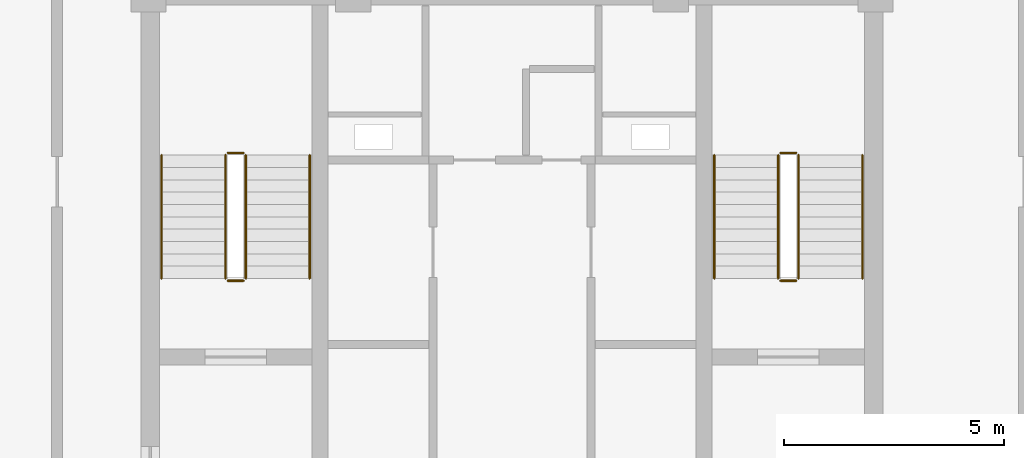
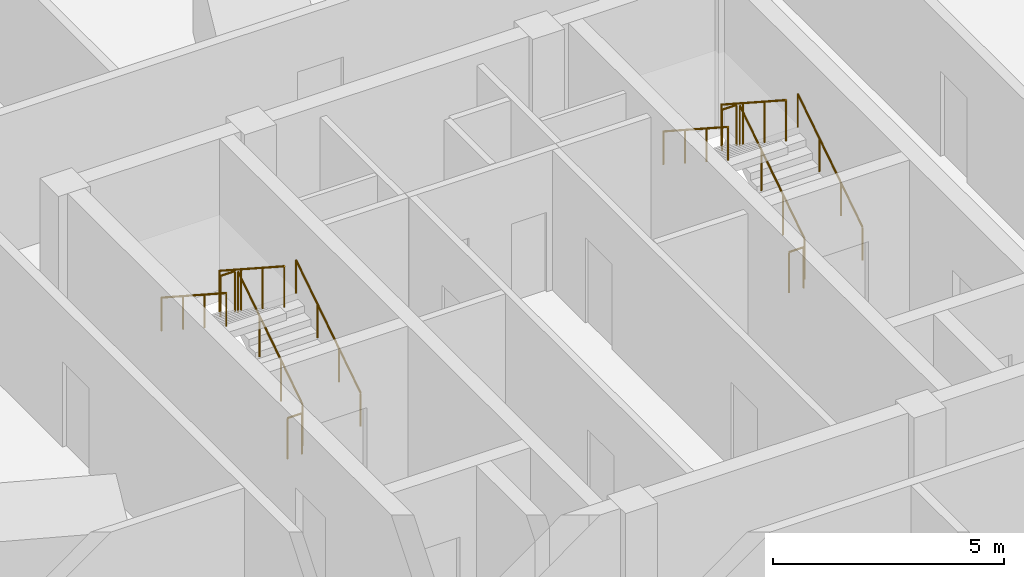
# One storey, part 25 of 26: 12 railings.
"""IFC4 building model written with IfcOpenShell, lengths in metres."""

from ifc_helpers import new_model, si_unit, direction, frame, origin, origin_2d, place, context, subcontext, project, spatial, circle, extrude, source, transform, mapped, material, type_object, element, save


model = new_model("IFC4")

# Units and contexts
model_context = context("Model", 3, precision=1e-05, world=origin(), true_north=direction((0.0, 1.0)))
body_context = subcontext(model_context, "Body", "Model", "MODEL_VIEW")
ifc_project = project(units=[si_unit("LENGTHUNIT", "METRE"), si_unit("AREAUNIT", "SQUARE_METRE"), si_unit("VOLUMEUNIT", "CUBIC_METRE"), si_unit("PLANEANGLEUNIT", "RADIAN"), si_unit("MASSUNIT", "GRAM", prefix="KILO"), si_unit("THERMODYNAMICTEMPERATUREUNIT", "KELVIN")], contexts=[model_context])

# Site, building, storey
site_placement = place(None, origin())
site = spatial("IfcSite", under=ifc_project, at=site_placement, CompositionType="ELEMENT")
building_placement = place(site_placement, origin())
building = spatial("IfcBuilding", under=site, at=building_placement, Name="Kosmvard Interchange Tower", CompositionType="ELEMENT")
storey_placement = place(building_placement, frame((0.0, 0.0, 329.60009765625)))
storey = spatial("IfcBuildingStorey", under=building, at=storey_placement, Name="L81", CompositionType="ELEMENT", Elevation=329.60009765625)

# Railings
ifc_material = material(Name="Steel S355", Category="steel")
railing_type_1 = type_object("IfcRailingType", Name="Stair & Terrace Safety Guardrail 1100 Steel", PredefinedType="GUARDRAIL", material=ifc_material)
shared_shape_1 = source(origin(), body_context, "Body", "SweptSolid", [
    extrude(circle(Radius=0.02392578125, at=origin_2d()), frame((0.0, 0.0, 1.076171875), z_axis=(-1.0, 0.0, 0.0), x_axis=(0.0, -1.0, 0.0)), (0.0, 0.0, 1.0), 0.35986328125),
    extrude(circle(Radius=0.02099609375, at=origin_2d()), origin(), (0.0, 0.0, 1.0), 1.052001953125),
    extrude(circle(Radius=0.02099609375, at=origin_2d()), frame((-0.35986328125, 0.0, 0.0)), (0.0, 0.0, 1.0), 1.052001953125),
])
for number, where, name in (
    (1, (-6.090087890625, 4.64990234375, 2.0), "L81 ST-1 stair guard 2"),
    (2, (-6.090087890625, 1.75, 0.0), "L81 ST-1 stair guard 4"),
    (3, (6.449951171875, 4.64990234375, 2.0), "L81 ST-2 stair guard 2"),
    (4, (6.449951171875, 1.75, 0.0), "L81 ST-2 stair guard 4"),
):
    element("IfcRailing", number, at=place(storey_placement, frame(where)), inside=storey, type_object=railing_type_1, Name=name, PredefinedType="GUARDRAIL", context=body_context, shape_type="MappedRepresentation", body=[
        mapped(shared_shape_1, transform((0.0, 0.0, 0.0), scale=1.0)),
    ])
shared_shape_2 = source(origin(), body_context, "Body", "SweptSolid", [
    extrude(circle(Radius=0.02392578125, at=origin_2d()), frame((0.0, 0.0, 1.076171875), z_axis=(0.0, 0.838672427954, 0.544636170843), x_axis=(-1.0, 0.0, 0.0)), (0.0, 0.0, 1.0), 3.338623046875),
    extrude(circle(Radius=0.02099609375, at=origin_2d()), origin(), (0.0, 0.0, 1.0), 1.052001953125),
    extrude(circle(Radius=0.02099609375, at=origin_2d()), frame((0.0, 0.933349609375, 0.606201171875)), (0.0, 0.0, 1.0), 1.052001953125),
    extrude(circle(Radius=0.02099609375, at=origin_2d()), frame((0.0, 1.86669921875, 1.212158203125)), (0.0, 0.0, 1.0), 1.052001953125),
    extrude(circle(Radius=0.02099609375, at=origin_2d()), frame((0.0, 2.800048828125, 1.818359375)), (0.0, 0.0, 1.0), 1.052001953125),
])
for number, where, name in (
    (5, (-6.0400390625, 1.800048828125, 0.181640625), "L81 ST-1 stair guard 1"),
    (6, (6.5, 1.800048828125, 0.181640625), "L81 ST-2 stair guard 1"),
):
    element("IfcRailing", number, at=place(storey_placement, frame(where)), inside=storey, type_object=railing_type_1, Name=name, PredefinedType="GUARDRAIL", context=body_context, shape_type="MappedRepresentation", body=[
        mapped(shared_shape_2, transform((0.0, 0.0, 0.0), scale=1.0)),
    ])
shared_shape_3 = source(origin(), body_context, "Body", "SweptSolid", [
    extrude(circle(Radius=0.02392578125, at=origin_2d()), frame((0.0, 0.0, 1.076171875), z_axis=(0.0, -0.838672427954, 0.544636170843), x_axis=(1.0, 0.0, 0.0)), (0.0, 0.0, 1.0), 3.338623046875),
    extrude(circle(Radius=0.02099609375, at=origin_2d()), origin(), (0.0, 0.0, 1.0), 1.052001953125),
    extrude(circle(Radius=0.02099609375, at=origin_2d()), frame((0.0, -0.933349609375, 0.606201171875)), (0.0, 0.0, 1.0), 1.052001953125),
    extrude(circle(Radius=0.02099609375, at=origin_2d()), frame((0.0, -1.86669921875, 1.212158203125)), (0.0, 0.0, 1.0), 1.052001953125),
    extrude(circle(Radius=0.02099609375, at=origin_2d()), frame((0.0, -2.800048828125, 1.818359375)), (0.0, 0.0, 1.0), 1.052001953125),
])
for number, where, name in (
    (7, (-6.5, 4.60009765625, 2.181640625), "L81 ST-1 stair guard 3"),
    (8, (6.0400390625, 4.60009765625, 2.181640625), "L81 ST-2 stair guard 3"),
):
    element("IfcRailing", number, at=place(storey_placement, frame(where)), inside=storey, type_object=railing_type_1, Name=name, PredefinedType="GUARDRAIL", context=body_context, shape_type="MappedRepresentation", body=[
        mapped(shared_shape_3, transform((0.0, 0.0, 0.0), scale=1.0)),
    ])
railing_type_2 = type_object("IfcRailingType", Name="Wall-Mounted Stair Handrail 900 Steel", PredefinedType="HANDRAIL", material=ifc_material)
shared_shape_4 = source(origin(), body_context, "Body", "SweptSolid", [
    extrude(circle(Radius=0.02392578125, at=origin_2d()), frame((0.0, 0.0, 0.8759765625), z_axis=(0.0, 0.838672427954, 0.544636170843), x_axis=(-1.0, 0.0, 0.0)), (0.0, 0.0, 1.0), 3.338623046875),
    extrude(circle(Radius=0.02099609375, at=origin_2d()), origin(), (0.0, 0.0, 1.0), 0.851806640625),
    extrude(circle(Radius=0.02099609375, at=origin_2d()), frame((0.0, 0.933349609375, 0.606201171875)), (0.0, 0.0, 1.0), 0.851806640625),
    extrude(circle(Radius=0.02099609375, at=origin_2d()), frame((0.0, 1.86669921875, 1.212158203125)), (0.0, 0.0, 1.0), 0.851806640625),
    extrude(circle(Radius=0.02099609375, at=origin_2d()), frame((0.0, 2.800048828125, 1.818359375)), (0.0, 0.0, 1.0), 0.851806640625),
])
for number, where, name in (
    (9, (-4.590087890625, 1.800048828125, 0.181640625), "L81 ST-1 stair handrail 1"),
    (10, (7.949951171875, 1.800048828125, 0.181640625), "L81 ST-2 stair handrail 1"),
):
    element("IfcRailing", number, at=place(storey_placement, frame(where)), inside=storey, type_object=railing_type_2, Name=name, PredefinedType="HANDRAIL", context=body_context, shape_type="MappedRepresentation", body=[
        mapped(shared_shape_4, transform((0.0, 0.0, 0.0), scale=1.0)),
    ])
shared_shape_5 = source(origin(), body_context, "Body", "SweptSolid", [
    extrude(circle(Radius=0.02392578125, at=origin_2d()), frame((0.0, 0.0, 0.8759765625), z_axis=(0.0, -0.838672427954, 0.544636170843), x_axis=(1.0, 0.0, 0.0)), (0.0, 0.0, 1.0), 3.338623046875),
    extrude(circle(Radius=0.02099609375, at=origin_2d()), origin(), (0.0, 0.0, 1.0), 0.851806640625),
    extrude(circle(Radius=0.02099609375, at=origin_2d()), frame((0.0, -0.933349609375, 0.606201171875)), (0.0, 0.0, 1.0), 0.851806640625),
    extrude(circle(Radius=0.02099609375, at=origin_2d()), frame((0.0, -1.86669921875, 1.212158203125)), (0.0, 0.0, 1.0), 0.851806640625),
    extrude(circle(Radius=0.02099609375, at=origin_2d()), frame((0.0, -2.800048828125, 1.818359375)), (0.0, 0.0, 1.0), 0.851806640625),
])
for number, where, name in (
    (11, (-7.949951171875, 4.60009765625, 2.181640625), "L81 ST-1 stair handrail 2"),
    (12, (4.590087890625, 4.60009765625, 2.181640625), "L81 ST-2 stair handrail 2"),
):
    element("IfcRailing", number, at=place(storey_placement, frame(where)), inside=storey, type_object=railing_type_2, Name=name, PredefinedType="HANDRAIL", context=body_context, shape_type="MappedRepresentation", body=[
        mapped(shared_shape_5, transform((0.0, 0.0, 0.0), scale=1.0)),
    ])

save(model, "model.ifc")
